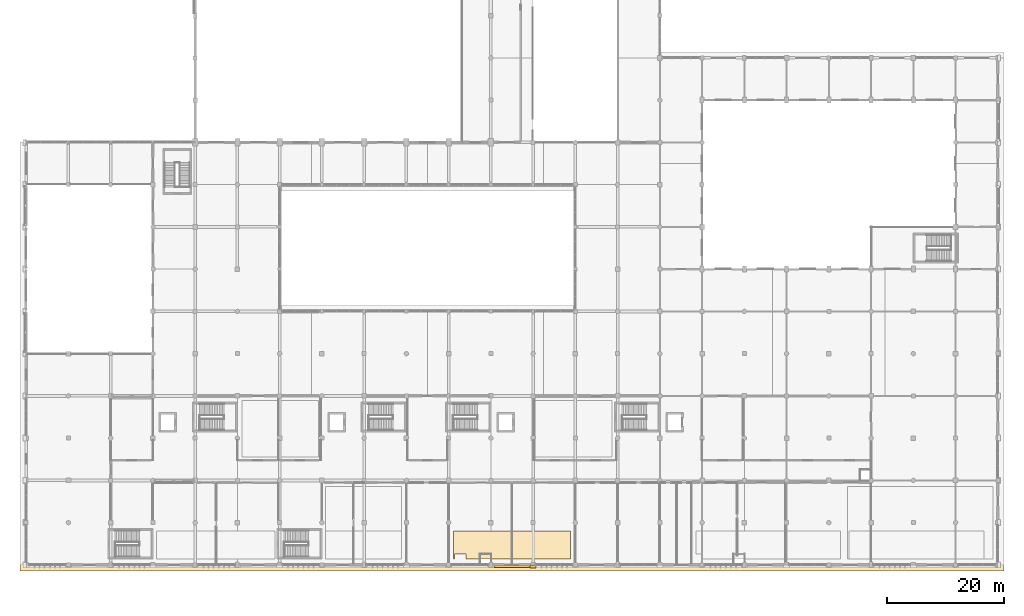
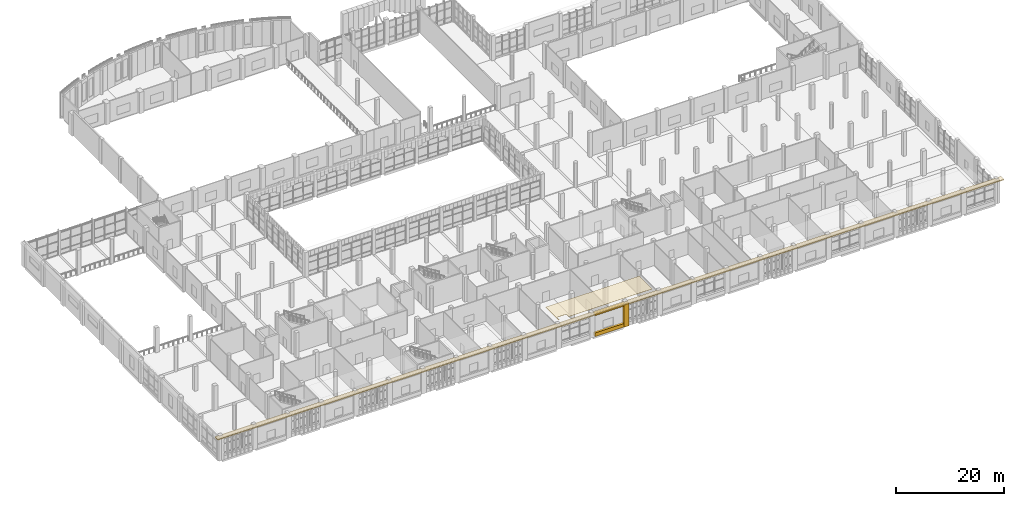
# One storey, part 68 of 80: 5 coverings.
"""IFC4 building model written with IfcOpenShell, lengths in metres."""

from ifc_helpers import new_model, si_unit, direction, frame, origin, place, context, subcontext, project, spatial, polyline, outline, extrude, material, layer, layer_set, type_object, element, save


model = new_model("IFC4")

# Units and contexts
model_context = context("Model", 3, precision=1e-05, world=origin(), true_north=direction((0.0, 1.0)))
body_context = subcontext(model_context, "Body", "Model", "MODEL_VIEW")
ifc_project = project(units=[si_unit("LENGTHUNIT", "METRE"), si_unit("AREAUNIT", "SQUARE_METRE"), si_unit("VOLUMEUNIT", "CUBIC_METRE"), si_unit("PLANEANGLEUNIT", "RADIAN"), si_unit("MASSUNIT", "GRAM", prefix="KILO")], contexts=[model_context])

# Site, building, storey
site_placement = place(None, origin())
site = spatial("IfcSite", under=ifc_project, at=site_placement, CompositionType="ELEMENT")
building_placement = place(site_placement, origin())
building = spatial("IfcBuilding", under=site, at=building_placement, Name="Sardonyx Promenade Sports Hall", CompositionType="ELEMENT")
storey_placement = place(building_placement, frame((0.0, 0.0, 5.60009765625)))
storey = spatial("IfcBuildingStorey", under=building, at=storey_placement, Name="L01", CompositionType="ELEMENT", Elevation=5.60009765625)

# Coverings
ifc_material_1 = material(Name="Perforated acoustic mineral-fibre baffle ceiling", Category="other")
ifc_layer_1 = layer(ifc_material_1, 0.0400390625)
ifc_layer_set_1 = layer_set([ifc_layer_1], Name="Cov_Ceil_Acoustic")
covering_type_1 = type_object("IfcCoveringType", Name="Cov_Ceil_Acoustic", PredefinedType="CEILING", material=ifc_layer_set_1)
covering_1_placement = place(storey_placement, frame((0.0, 0.0, 5.289794921875)))
element("IfcCovering", 1, at=covering_1_placement, inside=storey, type_object=covering_type_1, Name="Acoustic baffle ceiling CLG1 L01 #10", PredefinedType="CEILING", context=body_context, shape_type="SweptSolid", body=[
    extrude(outline(polyline([(72.800048828125, 5.800048828125), (72.800048828125, 1.0), (73.0, 1.0), (73.0, 1.7919921875), (73.000244140625, 1.798828125), (73.001708984375, 1.8076171875), (73.00390625, 1.816162109375), (73.0068359375, 1.824462890625), (73.010498046875, 1.83251953125), (73.01513671875, 1.840087890625), (73.0205078125, 1.84716796875), (73.0263671875, 1.853759765625), (73.03271484375, 1.859619140625), (73.039794921875, 1.864990234375), (73.047607421875, 1.869384765625), (73.055419921875, 1.873291015625), (73.063720703125, 1.876220703125), (73.072509765625, 1.87841796875), (73.081298828125, 1.879638671875), (73.087890625, 1.8798828125), (74.8720703125, 1.8798828125), (74.87890625, 1.879638671875), (74.8876953125, 1.87841796875), (74.896240234375, 1.876220703125), (74.904541015625, 1.873291015625), (74.91259765625, 1.869384765625), (74.920166015625, 1.864990234375), (74.92724609375, 1.859619140625), (74.93359375, 1.853759765625), (74.939697265625, 1.84716796875), (74.94482421875, 1.840087890625), (74.949462890625, 1.83251953125), (74.953125, 1.824462890625), (74.956298828125, 1.816162109375), (74.95849609375, 1.8076171875), (74.959716796875, 1.798828125), (74.9599609375, 1.7919921875), (74.960205078125, 1.0), (92.800048828125, 1.0), (92.800048828125, 5.800048828125), (72.800048828125, 5.800048828125)])), origin(), (0.0, 0.0, 1.0), 0.0400390625),
])
ifc_material_2 = material(Name="Dressed Cape red sandstone cornice", Category="masonry")
ifc_layer_2 = layer(ifc_material_2, 0.139892578125)
ifc_layer_set_2 = layer_set([ifc_layer_2], Name="Cov_Chhajja_Eave")
covering_type_2 = type_object("IfcCoveringType", Name="Cov_Chhajja_Eave", PredefinedType="MOLDING", material=ifc_layer_set_2)
covering_2_placement = place(storey_placement, frame((0.0, 0.0, 5.25)))
element("IfcCovering", 2, at=covering_2_placement, inside=storey, type_object=covering_type_2, Name="South wing L01 chhajja cornice", PredefinedType="MOLDING", context=body_context, shape_type="SweptSolid", body=[
    extrude(outline(polyline([(-1.050048828125, -1.050048828125), (166.64990234375, -1.050048828125), (166.64990234375, 0.050048828125), (-1.050048828125, 0.050048828125), (-1.050048828125, -1.050048828125)])), origin(), (0.0, 0.0, 1.0), 0.219970703125),
])
ifc_material_3 = material(Name="Dressed Cape red sandstone ashlar", Category="masonry")
ifc_layer_3 = layer(ifc_material_3, 0.06005859375)
ifc_layer_set_3 = layer_set([ifc_layer_3], Name="Cov_Cladding_Sandstone")
covering_type_3 = type_object("IfcCoveringType", Name="Cov_Cladding_Sandstone", PredefinedType="CLADDING", material=ifc_layer_set_3)
covering_3_placement = place(storey_placement, origin())
element("IfcCovering", 3, at=covering_3_placement, inside=storey, type_object=covering_type_3, Name="South sandstone bay pier casing L01 #12", PredefinedType="CLADDING", context=body_context, shape_type="SweptSolid", body=[
    extrude(outline(polyline([(85.8798828125, -0.52001953125), (86.919921875, -0.52001953125), (86.919921875, 0.02001953125), (85.8798828125, 0.02001953125), (85.8798828125, -0.52001953125)])), origin(), (0.0, 0.0, 1.0), 5.25),
])
covering_4_placement = place(storey_placement, origin())
element("IfcCovering", 4, at=covering_4_placement, inside=storey, type_object=covering_type_3, Name="South sandstone sill spandrel L01 #11", PredefinedType="CLADDING", context=body_context, shape_type="SweptSolid", body=[
    extrude(outline(polyline([(79.719970703125, -0.4599609375), (85.8798828125, -0.4599609375), (85.8798828125, 0.02001953125), (79.719970703125, 0.02001953125), (79.719970703125, -0.4599609375)])), origin(), (0.0, 0.0, 1.0), 0.81982421875),
])
covering_5_placement = place(storey_placement, frame((0.0, 0.0, 4.699951171875)))
element("IfcCovering", 5, at=covering_5_placement, inside=storey, type_object=covering_type_3, Name="South sandstone lintel frieze L01 #11", PredefinedType="CLADDING", context=body_context, shape_type="SweptSolid", body=[
    extrude(outline(polyline([(79.719970703125, -0.4599609375), (85.8798828125, -0.4599609375), (85.8798828125, 0.02001953125), (79.719970703125, 0.02001953125), (79.719970703125, -0.4599609375)])), origin(), (0.0, 0.0, 1.0), 0.550048828125),
])

save(model, "model.ifc")
